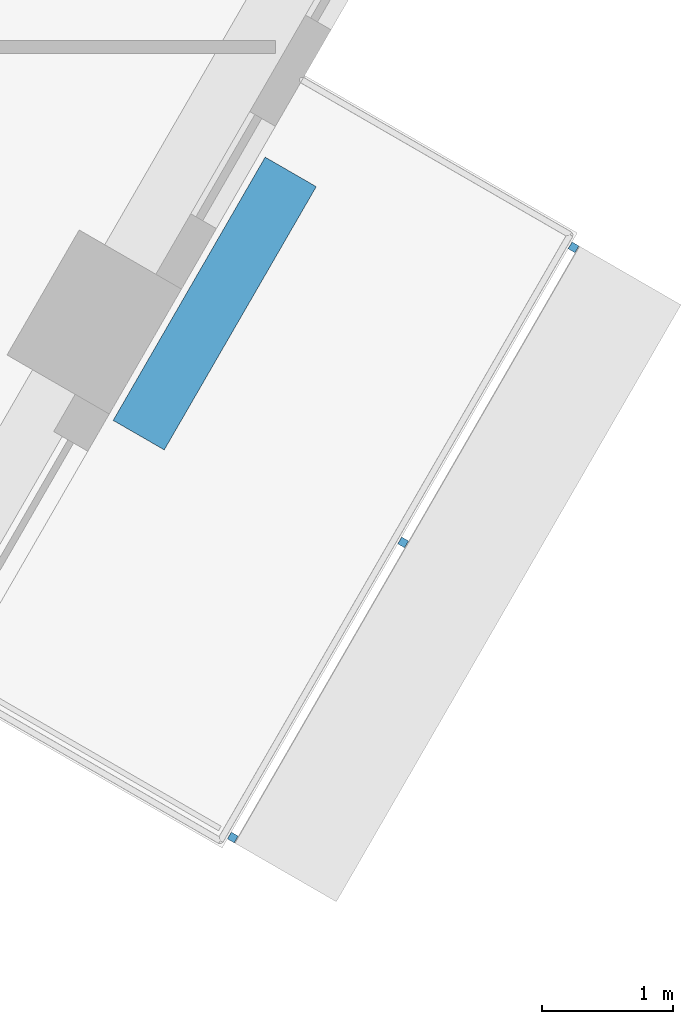
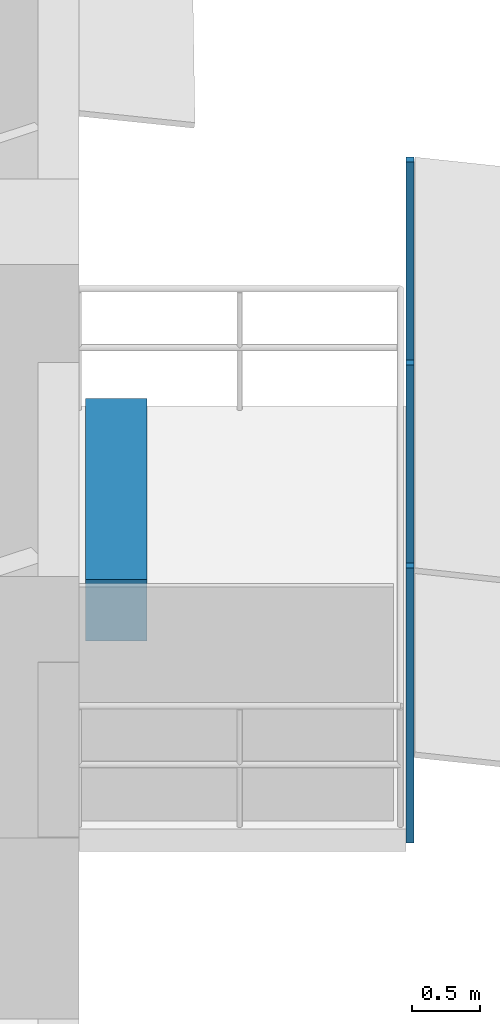
# One storey, part 9 of 12: 4 discrete accessories.
"""IFC4 building model written with IfcOpenShell, lengths in metres."""

from ifc_helpers import new_model, si_unit, direction, frame, origin, origin_2d, place, context, subcontext, project, spatial, rectangle, extrude, material, type_object, element, save


model = new_model("IFC4")

# Units and contexts
model_context = context("Model", 3, precision=1e-05, world=origin(), true_north=direction((0.0, 1.0)))
body_context = subcontext(model_context, "Body", "Model", "MODEL_VIEW")
ifc_project = project(units=[si_unit("LENGTHUNIT", "METRE"), si_unit("AREAUNIT", "SQUARE_METRE"), si_unit("VOLUMEUNIT", "CUBIC_METRE"), si_unit("PLANEANGLEUNIT", "RADIAN"), si_unit("MASSUNIT", "GRAM", prefix="KILO")], contexts=[model_context])

# Site, building, storey
site_placement = place(None, origin())
site = spatial("IfcSite", under=ifc_project, at=site_placement, CompositionType="ELEMENT")
building_placement = place(site_placement, origin())
building = spatial("IfcBuilding", under=site, at=building_placement, Name="Nakaniwa Court", CompositionType="ELEMENT")
storey_placement = place(building_placement, frame((0.0, 0.0, 232.800048828125)))
storey = spatial("IfcBuildingStorey", under=building, at=storey_placement, Name="L60", CompositionType="ELEMENT", Elevation=232.800048828125)

# Discrete accessories
ifc_material_1 = material(Name="Black powder-coated steel bracket S275", Category="steel")
discrete_accessory_type_1 = type_object("IfcDiscreteAccessoryType", Name="Black metal louvre bracket", PredefinedType="BRACKET", material=ifc_material_1)
for number, where, z_axis, x_axis, name in (
    (1, (100.19580078125, 64.8203125, -0.22998046875), (0.0, 0.0, 1.0), (0.500016626402, 0.866015804314, 0.0), "L60 louvre bracket 01 1"),
    (2, (101.49462890625, 67.06982421875, -0.22998046875), (0.0, 0.0, 1.0), (0.500016626402, 0.866015804314, 0.0), "L60 louvre bracket 01 2"),
    (3, (102.79345703125, 69.3193359375, -0.22998046875), (0.0, 0.0, 1.0), (0.500016626402, 0.866015804314, 0.0), "L60 louvre bracket 01 3"),
):
    element("IfcDiscreteAccessory", number, at=place(storey_placement, frame(where, z_axis=z_axis, x_axis=x_axis)), inside=storey, type_object=discrete_accessory_type_1, Name=name, PredefinedType="BRACKET", context=body_context, shape_type="SweptSolid", body=[
        extrude(rectangle(XDim=0.06005859375, YDim=0.06005859375, at=origin_2d()), origin(), (0.0, 0.0, 1.0), 2.46337890625),
    ])
ifc_material_2 = material(Name="Precast concrete C40/50 planter with planted soil", Category="concrete")
discrete_accessory_type_2 = type_object("IfcDiscreteAccessoryType", Name="Planter box charcoal concrete", PredefinedType="USERDEFINED", material=ifc_material_2)
discrete_accessory_placement = place(storey_placement, frame((100.057861328125, 68.89111328125, -0.05029296875), z_axis=(0.0, 0.0, 1.0), x_axis=(0.500016626402, 0.866015804314, 0.0)))
element("IfcDiscreteAccessory", 4, at=discrete_accessory_placement, inside=storey, type_object=discrete_accessory_type_2, Name="L60 balcony PLANTER 01", ObjectType="PLANTER", PredefinedType="USERDEFINED", context=body_context, shape_type="SweptSolid", body=[
    extrude(rectangle(XDim=2.317626953125, YDim=0.449951171875, at=origin_2d()), origin(), (0.0, 0.0, 1.0), 0.550048828125),
])

save(model, "model.ifc")
